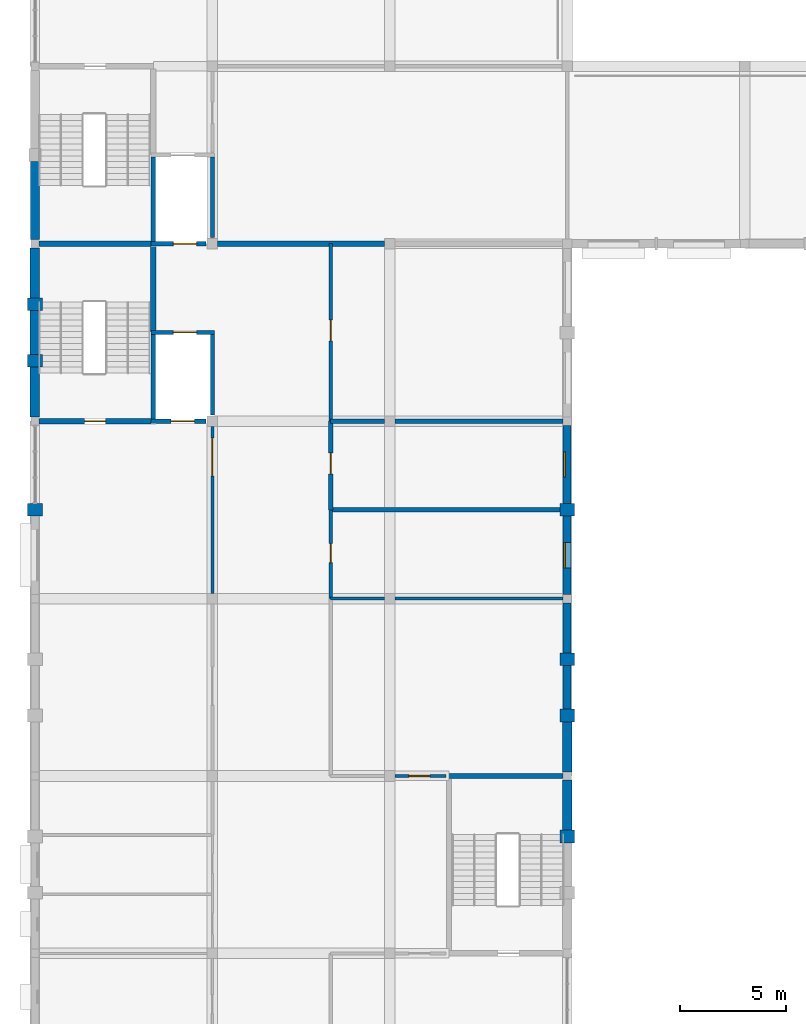
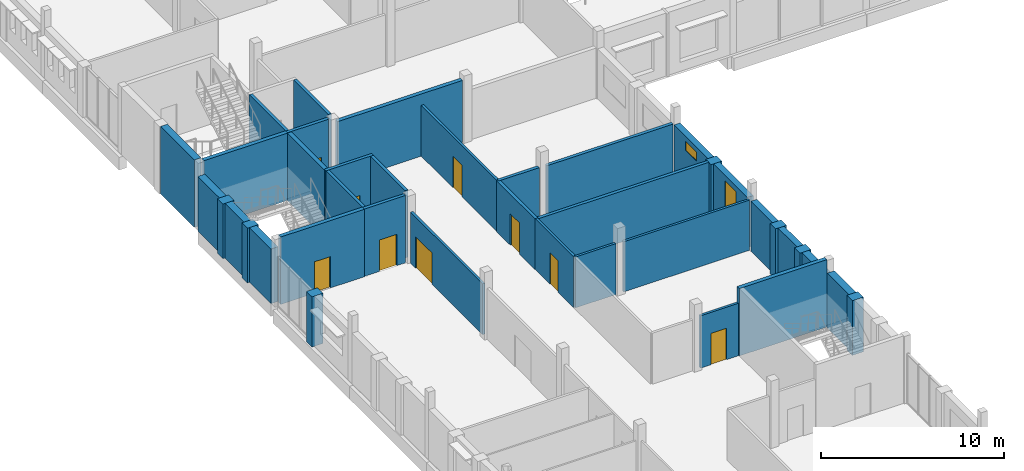
# One storey, part 25 of 38: 39 walls, 9 doors, 2 windows, 11 openings.
"""IFC4 building model written with IfcOpenShell, lengths in metres."""

from ifc_helpers import new_model, si_unit, direction, frame, frame_2d, origin, place, context, subcontext, project, spatial, rectangle, extrude, material, layer, layer_set, type_object, element, fill, save


model = new_model("IFC4")

# Units and contexts
model_context = context("Model", 3, precision=1e-05, world=origin(), true_north=direction((0.0, 1.0)))
body_context = subcontext(model_context, "Body", "Model", "MODEL_VIEW")
ifc_project = project(units=[si_unit("LENGTHUNIT", "METRE"), si_unit("AREAUNIT", "SQUARE_METRE"), si_unit("VOLUMEUNIT", "CUBIC_METRE"), si_unit("PLANEANGLEUNIT", "RADIAN"), si_unit("MASSUNIT", "GRAM", prefix="KILO")], contexts=[model_context])

# Site, building, storey
site_placement = place(None, origin())
site = spatial("IfcSite", under=ifc_project, at=site_placement, CompositionType="ELEMENT")
building_placement = place(site_placement, origin())
building = spatial("IfcBuilding", under=site, at=building_placement, Name="Fescue Hill Polytechnic", CompositionType="ELEMENT")
storey_placement = place(building_placement, frame((0.0, 0.0, 18.0)))
storey = spatial("IfcBuildingStorey", under=building, at=storey_placement, Name="L04", CompositionType="ELEMENT", Elevation=18.0)

# Wall, opening, door
ifc_material_1 = material(Name="Concrete 40 MPa", Category="concrete")
ifc_layer_1 = layer(ifc_material_1, 0.25)
ifc_layer_set_1 = layer_set([ifc_layer_1], Name="Concrete 40 MPa")
wall_type_1 = type_object("IfcWallType", Name="Core wall 250", PredefinedType="SHEAR", material=ifc_layer_set_1)
wall_1_placement = place(storey_placement, frame((0.199951171875, 100.800048828125, 0.0), z_axis=(0.0, 0.0, 1.0), x_axis=(1.0, 0.0, 0.0)))
wall_1 = element("IfcWall", 1, at=wall_1_placement, inside=storey, type_object=wall_type_1, Name="CW-L04-ST-V4-2-11", PredefinedType="SHEAR", context=body_context, shape_type="SweptSolid", body=[
    extrude(rectangle(XDim=5.300048828125, YDim=0.25, at=frame_2d((2.64990234375, 0.0))), origin(), (0.0, 0.0, 1.0), 4.5),
])
opening_1_placement = place(wall_1_placement, frame((2.14990234375, 0.0, 0.0)))
opening_1 = element("IfcOpeningElement", 2, at=opening_1_placement, cuts=wall_1, Name="Opening D4037", PredefinedType="OPENING", context=body_context, shape_type="SweptSolid", body=[
    extrude(rectangle(XDim=1.0, YDim=2.10009765625, at=frame_2d((0.5, 1.050048828125))), frame((0.0, 0.135009765625, 0.0), z_axis=(0.0, -1.0, 0.0), x_axis=(1.0, 0.0, 0.0)), (0.0, 0.0, 1.0), 0.27001953125),
])
ifc_material_2 = material(Name="Steel fire door", Category="steel")
door_type_1 = type_object("IfcDoorType", Name="Door single swing 1000x2100 stair fire rated", OperationType="NOTDEFINED", PredefinedType="DOOR", material=ifc_material_2)
door_1_placement = place(opening_1_placement, origin())
door_1 = element("IfcDoor", 3, at=door_1_placement, inside=storey, type_object=door_type_1, Name="L04 ST-V4-2 stair door", OperationType="SINGLE_SWING_RIGHT", OverallHeight=2.10009765625, OverallWidth=1.0, PredefinedType="DOOR", context=body_context, shape_type="SweptSolid", body=[
    extrude(rectangle(XDim=1.0, YDim=2.10009765625, at=frame_2d((0.5, 1.050048828125))), frame((0.0, 0.02490234375, 0.0), z_axis=(0.0, -1.0, 0.0), x_axis=(1.0, 0.0, 0.0)), (0.0, 0.0, 1.0), 0.050048828125),
])
fill(opening_1, door_1)

# Walls
wall_2_placement = place(storey_placement, frame((0.199951171875, 109.199951171875, 0.0), z_axis=(0.0, 0.0, 1.0), x_axis=(1.0, 0.0, 0.0)))
element("IfcWall", 4, at=wall_2_placement, inside=storey, type_object=wall_type_1, Name="CW-L04-ST-V4-2-21", PredefinedType="SHEAR", context=body_context, shape_type="SweptSolid", body=[
    extrude(rectangle(XDim=5.300048828125, YDim=0.25, at=frame_2d((2.64990234375, 0.0))), origin(), (0.0, 0.0, 1.0), 4.5),
])
wall_3_placement = place(storey_placement, frame((5.60009765625, 105.010009765625, 0.0), z_axis=(0.0, 0.0, 1.0), x_axis=(0.0, 1.0, 0.0)))
element("IfcWall", 5, at=wall_3_placement, inside=storey, type_object=wall_type_1, Name="CW-L04-ST-V4-2-41", PredefinedType="SHEAR", context=body_context, shape_type="SweptSolid", body=[
    extrude(rectangle(XDim=4.06494140625, YDim=0.25, at=frame_2d((2.032470703125, 0.0))), origin(), (0.0, 0.0, 1.0), 4.5),
])
wall_4_placement = place(storey_placement, frame((19.47509765625, 84.0, 0.0), z_axis=(0.0, 0.0, 1.0), x_axis=(1.0, 0.0, 0.0)))
element("IfcWall", 6, at=wall_4_placement, inside=storey, type_object=wall_type_1, Name="CW-L04-ST-V4-3-21", PredefinedType="SHEAR", context=body_context, shape_type="SweptSolid", body=[
    extrude(rectangle(XDim=5.52490234375, YDim=0.25, at=frame_2d((2.762451171875, 0.0))), origin(), (0.0, 0.0, 1.0), 4.5),
])

# Wall, opening, door
ifc_material_3 = material(Name="Gypsum board partition")
ifc_layer_2 = layer(ifc_material_3, 0.14990234375)
ifc_layer_set_2 = layer_set([ifc_layer_2], Name="Gypsum board partition")
wall_type_2 = type_object("IfcWallType", Name="Corridor wall 150 EI 45", PredefinedType="PARTITIONING", material=ifc_layer_set_2)
wall_5_placement = place(storey_placement, frame((14.0, 92.39990234375, 0.0), z_axis=(0.0, 0.0, 1.0), x_axis=(0.0, 1.0, 0.0)))
wall_5 = element("IfcWall", 7, at=wall_5_placement, inside=storey, type_object=wall_type_2, Name="IW-L04-046", PredefinedType="PARTITIONING", context=body_context, shape_type="SweptSolid", body=[
    extrude(rectangle(XDim=4.2001953125, YDim=0.14990234375, at=frame_2d((2.10009765625, 0.0))), origin(), (0.0, 0.0, 1.0), 3.39990234375),
])
opening_2_placement = place(wall_5_placement, frame((1.699951171875, 0.0, 0.0)))
opening_2 = element("IfcOpeningElement", 8, at=opening_2_placement, cuts=wall_5, Name="Opening D4012", PredefinedType="OPENING", context=body_context, shape_type="SweptSolid", body=[
    extrude(rectangle(XDim=0.89990234375, YDim=2.10009765625, at=frame_2d((0.449951171875, 1.050048828125))), frame((0.0, 0.0849609375, 0.0), z_axis=(0.0, -1.0, 0.0), x_axis=(1.0, 0.0, 0.0)), (0.0, 0.0, 1.0), 0.169921875),
])
ifc_material_4 = material(Name="Timber", Category="wood")
door_type_2 = type_object("IfcDoorType", Name="Door single swing 900x2100 FD30S", OperationType="SINGLE_SWING_LEFT", PredefinedType="DOOR", material=ifc_material_4)
door_2_placement = place(opening_2_placement, origin())
door_2 = element("IfcDoor", 9, at=door_2_placement, inside=storey, type_object=door_type_2, Name="Door D4012", OperationType="SINGLE_SWING_RIGHT", OverallHeight=2.10009765625, OverallWidth=0.89990234375, PredefinedType="DOOR", context=body_context, shape_type="SweptSolid", body=[
    extrude(rectangle(XDim=0.89990234375, YDim=2.10009765625, at=frame_2d((0.449951171875, 1.050048828125))), frame((0.0, 0.02490234375, 0.0), z_axis=(0.0, -1.0, 0.0), x_axis=(1.0, 0.0, 0.0)), (0.0, 0.0, 1.0), 0.050048828125),
])
fill(opening_2, door_2)

# Walls
ifc_layer_3 = layer(ifc_material_1, 0.449951171875)
ifc_layer_set_3 = layer_set([ifc_layer_3], Name="Concrete 40 MPa")
wall_type_3 = type_object("IfcWallType", Name="Exterior wall board-marked concrete 450", PredefinedType="SOLIDWALL", material=ifc_layer_set_3)
wall_6_placement = place(storey_placement, frame((25.199951171875, 84.199951171875, 0.0), z_axis=(0.0, 0.0, 1.0), x_axis=(0.0, 1.0, 0.0)))
element("IfcWall", 10, at=wall_6_placement, inside=storey, type_object=wall_type_3, Name="EW-L04-V4-11", PredefinedType="SOLIDWALL", context=body_context, shape_type="SweptSolid", body=[
    extrude(rectangle(XDim=2.36669921875, YDim=0.449951171875, at=frame_2d((1.183349609375, 0.0))), origin(), (0.0, 0.0, 1.0), 3.35009765625),
])
ifc_layer_4 = layer(ifc_material_1, 0.449951171875)
ifc_layer_set_4 = layer_set([ifc_layer_4], Name="Concrete 40 MPa")
wall_type_4 = type_object("IfcWallType", Name="Exterior wall board-marked concrete 450 load-bearing", PredefinedType="SOLIDWALL", material=ifc_layer_set_4)
for number, where, z_axis, x_axis, name in (
    (11, (25.199951171875, 81.433349609375, 0.0), (0.0, 0.0, 1.0), (0.0, 1.0, 0.0), "EW-L04-V4-10"),
    (12, (0.0, 109.0, 0.0), (0.0, 0.0, 1.0), (0.0, -1.0, 0.0), "EW-L04-V4-18"),
):
    element("IfcWall", number, at=place(storey_placement, frame(where, z_axis=z_axis, x_axis=x_axis)), inside=storey, type_object=wall_type_4, Name=name, PredefinedType="SOLIDWALL", context=body_context, shape_type="SweptSolid", body=[
        extrude(rectangle(XDim=2.36669921875, YDim=0.449951171875, at=frame_2d((1.183349609375, 0.0))), origin(), (0.0, 0.0, 1.0), 3.64990234375),
    ])
wall_7_placement = place(storey_placement, frame((0.0, 106.033203125, 0.0), z_axis=(0.0, 0.0, 1.0), x_axis=(0.0, -1.0, 0.0)))
element("IfcWall", 13, at=wall_7_placement, inside=storey, type_object=wall_type_4, Name="EW-L04-V4-19", PredefinedType="SOLIDWALL", context=body_context, shape_type="SweptSolid", body=[
    extrude(rectangle(XDim=2.06640625, YDim=0.449951171875, at=frame_2d((1.033203125, 0.0))), origin(), (0.0, 0.0, 1.0), 3.64990234375),
])
wall_8_placement = place(storey_placement, frame((0.0, 103.36669921875, 0.0), z_axis=(0.0, 0.0, 1.0), x_axis=(0.0, -1.0, 0.0)))
element("IfcWall", 14, at=wall_8_placement, inside=storey, type_object=wall_type_4, Name="EW-L04-V4-20", PredefinedType="SOLIDWALL", context=body_context, shape_type="SweptSolid", body=[
    extrude(rectangle(XDim=2.36669921875, YDim=0.449951171875, at=frame_2d((1.183349609375, 0.0))), origin(), (0.0, 0.0, 1.0), 3.64990234375),
])
ifc_material_5 = material(Name="Clay brick masonry", Category="masonry")
ifc_layer_5 = layer(ifc_material_5, 0.419921875)
ifc_layer_set_5 = layer_set([ifc_layer_5], Name="Clay brick masonry")
wall_type_5 = type_object("IfcWallType", Name="Exterior wall buff-red brick cavity 420 load-bearing", PredefinedType="SOLIDWALL", material=ifc_layer_set_5)
wall_9_placement = place(storey_placement, frame((0.0, 113.10009765625, 0.0), z_axis=(0.0, 0.0, 1.0), x_axis=(0.0, -1.0, 0.0)))
element("IfcWall", 15, at=wall_9_placement, inside=storey, type_object=wall_type_5, Name="EW-L04-V5-24", PredefinedType="SOLIDWALL", context=body_context, shape_type="SweptSolid", body=[
    extrude(rectangle(XDim=3.7001953125, YDim=0.419921875, at=frame_2d((1.85009765625, 0.0))), origin(), (0.0, 0.0, 1.0), 4.5),
])
ifc_material_6 = material(Name="Terracotta rainscreen on concrete block", Category="masonry")
ifc_layer_6 = layer(ifc_material_6, 0.3798828125)
ifc_layer_set_6 = layer_set([ifc_layer_6], Name="Terracotta rainscreen on concrete block")
wall_type_6 = type_object("IfcWallType", Name="Exterior wall rainscreen terracotta on blockwork 380", PredefinedType="SOLIDWALL", material=ifc_layer_set_6)
wall_10_placement = place(storey_placement, frame((25.199951171875, 87.166748046875, 0.0), z_axis=(0.0, 0.0, 1.0), x_axis=(0.0, 1.0, 0.0)))
element("IfcWall", 16, at=wall_10_placement, inside=storey, type_object=wall_type_6, Name="EW-L04-V4-12", PredefinedType="SOLIDWALL", context=body_context, shape_type="SweptSolid", body=[
    extrude(rectangle(XDim=2.066650390625, YDim=0.3798828125, at=frame_2d((1.033203125, 0.0))), origin(), (0.0, 0.0, 1.0), 3.35009765625),
])
wall_11_placement = place(storey_placement, frame((25.199951171875, 89.833251953125, 0.0), z_axis=(0.0, 0.0, 1.0), x_axis=(0.0, 1.0, 0.0)))
element("IfcWall", 17, at=wall_11_placement, inside=storey, type_object=wall_type_6, Name="EW-L04-V4-13", PredefinedType="SOLIDWALL", context=body_context, shape_type="SweptSolid", body=[
    extrude(rectangle(XDim=2.36669921875, YDim=0.3798828125, at=frame_2d((1.183349609375, 0.0))), origin(), (0.0, 0.0, 1.0), 3.35009765625),
])

# Wall, opening, window
wall_12_placement = place(storey_placement, frame((25.199951171875, 92.60009765625, 0.0), z_axis=(0.0, 0.0, 1.0), x_axis=(0.0, 1.0, 0.0)))
wall_12 = element("IfcWall", 18, at=wall_12_placement, inside=storey, type_object=wall_type_6, Name="EW-L04-V4-14", PredefinedType="SOLIDWALL", context=body_context, shape_type="SweptSolid", body=[
    extrude(rectangle(XDim=3.699951171875, YDim=0.3798828125, at=frame_2d((1.85009765625, 0.0))), origin(), (0.0, 0.0, 1.0), 3.35009765625),
])
opening_3_placement = place(wall_12_placement, frame((1.25, 0.0, 0.89990234375)))
opening_3 = element("IfcOpeningElement", 19, at=opening_3_placement, cuts=wall_12, Name="Opening W13", PredefinedType="OPENING", context=body_context, shape_type="SweptSolid", body=[
    extrude(rectangle(XDim=1.199951171875, YDim=2.10009765625, at=frame_2d((0.60009765625, 1.050048828125))), frame((0.0, 0.199951171875, 0.0), z_axis=(0.0, -1.0, 0.0), x_axis=(1.0, 0.0, 0.0)), (0.0, 0.0, 1.0), 0.39990234375),
])
ifc_material_7 = material(Name="Powder-coated aluminium and glass", Category="aluminium")
window_type_1 = type_object("IfcWindowType", Name="Window cellular office 1200x2100", PartitioningType="SINGLE_PANEL", PredefinedType="WINDOW", material=ifc_material_7)
window_1_placement = place(opening_3_placement, origin())
window_1 = element("IfcWindow", 20, at=window_1_placement, inside=storey, type_object=window_type_1, Name="WN-L04-V4-4", OverallHeight=2.10009765625, OverallWidth=1.199951171875, PartitioningType="SINGLE_PANEL", PredefinedType="WINDOW", context=body_context, shape_type="SweptSolid", body=[
    extrude(rectangle(XDim=1.199951171875, YDim=2.10009765625, at=frame_2d((0.60009765625, 1.050048828125))), frame((0.0, 0.150146484375, 0.0), z_axis=(0.0, -1.0, 0.0), x_axis=(1.0, 0.0, 0.0)), (0.0, 0.0, 1.0), 0.06005859375),
])
fill(opening_3, window_1)

wall_13_placement = place(storey_placement, frame((25.199951171875, 96.89990234375, 0.0), z_axis=(0.0, 0.0, 1.0), x_axis=(0.0, 1.0, 0.0)))
wall_13 = element("IfcWall", 21, at=wall_13_placement, inside=storey, type_object=wall_type_6, Name="EW-L04-V4-15", PredefinedType="SOLIDWALL", context=body_context, shape_type="SweptSolid", body=[
    extrude(rectangle(XDim=3.7001953125, YDim=0.3798828125, at=frame_2d((1.85009765625, 0.0))), origin(), (0.0, 0.0, 1.0), 3.35009765625),
])
opening_4_placement = place(wall_13_placement, frame((1.25, 0.0, 2.39990234375)))
opening_4 = element("IfcOpeningElement", 22, at=opening_4_placement, cuts=wall_13, Name="Opening W12", PredefinedType="OPENING", context=body_context, shape_type="SweptSolid", body=[
    extrude(rectangle(XDim=1.199951171875, YDim=0.60009765625, at=frame_2d((0.60009765625, 0.300048828125))), frame((0.0, 0.199951171875, 0.0), z_axis=(0.0, -1.0, 0.0), x_axis=(1.0, 0.0, 0.0)), (0.0, 0.0, 1.0), 0.39990234375),
])
window_type_2 = type_object("IfcWindowType", Name="Window plant and store high-level 1200x600", PartitioningType="SINGLE_PANEL", PredefinedType="WINDOW", material=ifc_material_7)
window_2_placement = place(opening_4_placement, origin())
window_2 = element("IfcWindow", 23, at=window_2_placement, inside=storey, type_object=window_type_2, Name="WN-L04-V4-5", OverallHeight=0.60009765625, OverallWidth=1.199951171875, PartitioningType="SINGLE_PANEL", PredefinedType="WINDOW", context=body_context, shape_type="SweptSolid", body=[
    extrude(rectangle(XDim=1.199951171875, YDim=0.60009765625, at=frame_2d((0.60009765625, 0.300048828125))), frame((0.0, 0.150146484375, 0.0), z_axis=(0.0, -1.0, 0.0), x_axis=(1.0, 0.0, 0.0)), (0.0, 0.0, 1.0), 0.06005859375),
])
fill(opening_4, window_2)

# Walls
ifc_layer_7 = layer(ifc_material_1, 0.699951171875)
ifc_layer_set_7 = layer_set([ifc_layer_7], Name="Concrete 40 MPa")
wall_type_7 = type_object("IfcWallType", Name="Fin wall board-marked 600x700", PredefinedType="SOLIDWALL", material=ifc_layer_set_7)
wall_14_placement = place(storey_placement, frame((25.199951171875, 80.833251953125, 0.0), z_axis=(0.0, 0.0, 1.0), x_axis=(0.0, 1.0, 0.0)))
element("IfcWall", 24, at=wall_14_placement, inside=storey, type_object=wall_type_7, Name="PR-L04-V4-6", PredefinedType="SOLIDWALL", context=body_context, shape_type="SweptSolid", body=[
    extrude(rectangle(XDim=0.60009765625, YDim=0.699951171875, at=frame_2d((0.300048828125, 0.0))), origin(), (0.0, 0.0, 1.0), 3.64990234375),
])
wall_15_placement = place(storey_placement, frame((25.199951171875, 86.566650390625, 0.0), z_axis=(0.0, 0.0, 1.0), x_axis=(0.0, 1.0, 0.0)))
element("IfcWall", 25, at=wall_15_placement, inside=storey, type_object=wall_type_7, Name="PR-L04-V4-7", PredefinedType="SOLIDWALL", context=body_context, shape_type="SweptSolid", body=[
    extrude(rectangle(XDim=0.60009765625, YDim=0.699951171875, at=frame_2d((0.300048828125, 0.0))), origin(), (0.0, 0.0, 1.0), 3.35009765625),
])
for number, where, z_axis, x_axis, name in (
    (26, (25.199951171875, 89.2333984375, 0.0), (0.0, 0.0, 1.0), (0.0, 1.0, 0.0), "PR-L04-V4-8"),
    (27, (25.199951171875, 96.300048828125, 0.0), (0.0, 0.0, 1.0), (0.0, 1.0, 0.0), "PR-L04-V4-9"),
):
    element("IfcWall", number, at=place(storey_placement, frame(where, z_axis=z_axis, x_axis=x_axis)), inside=storey, type_object=wall_type_7, Name=name, PredefinedType="SOLIDWALL", context=body_context, shape_type="SweptSolid", body=[
        extrude(rectangle(XDim=0.599853515625, YDim=0.699951171875, at=frame_2d((0.2998046875, 0.0))), origin(), (0.0, 0.0, 1.0), 3.35009765625),
    ])
for number, where, z_axis, x_axis, name in (
    (28, (0.0, 106.63330078125, 0.0), (0.0, 0.0, 1.0), (0.0, -1.0, 0.0), "PR-L04-V4-11"),
    (29, (0.0, 103.966796875, 0.0), (0.0, 0.0, 1.0), (0.0, -1.0, 0.0), "PR-L04-V4-12"),
):
    element("IfcWall", number, at=place(storey_placement, frame(where, z_axis=z_axis, x_axis=x_axis)), inside=storey, type_object=wall_type_7, Name=name, PredefinedType="SOLIDWALL", context=body_context, shape_type="SweptSolid", body=[
        extrude(rectangle(XDim=0.60009765625, YDim=0.699951171875, at=frame_2d((0.300048828125, 0.0))), origin(), (0.0, 0.0, 1.0), 3.64990234375),
    ])
wall_16_placement = place(storey_placement, frame((0.0, 96.89990234375, 0.0), z_axis=(0.0, 0.0, 1.0), x_axis=(0.0, -1.0, 0.0)))
element("IfcWall", 30, at=wall_16_placement, inside=storey, type_object=wall_type_7, Name="PR-L04-V4-13", PredefinedType="SOLIDWALL", context=body_context, shape_type="SweptSolid", body=[
    extrude(rectangle(XDim=0.599853515625, YDim=0.699951171875, at=frame_2d((0.2998046875, 0.0))), origin(), (0.0, 0.0, 1.0), 3.35009765625),
])
ifc_material_8 = material(Name="Concrete masonry block 15 MPa", Category="masonry")
ifc_layer_8 = layer(ifc_material_8, 0.14990234375)
ifc_layer_set_8 = layer_set([ifc_layer_8], Name="Concrete masonry block 15 MPa")
wall_type_8 = type_object("IfcWallType", Name="Laboratory wall 150 block EI 60", PredefinedType="PARTITIONING", material=ifc_layer_set_8)
wall_17_placement = place(storey_placement, frame((14.0, 92.39990234375, 0.0), z_axis=(0.0, 0.0, 1.0), x_axis=(1.0, 0.0, 0.0)))
element("IfcWall", 31, at=wall_17_placement, inside=storey, type_object=wall_type_8, Name="IW-L04-015", PredefinedType="PARTITIONING", context=body_context, shape_type="SweptSolid", body=[
    extrude(rectangle(XDim=2.550048828125, YDim=0.14990234375, at=frame_2d((1.27490234375, 0.0))), origin(), (0.0, 0.0, 1.0), 3.39990234375),
])
wall_18_placement = place(storey_placement, frame((17.050048828125, 92.39990234375, 0.0), z_axis=(0.0, 0.0, 1.0), x_axis=(1.0, 0.0, 0.0)))
element("IfcWall", 32, at=wall_18_placement, inside=storey, type_object=wall_type_8, Name="IW-L04-016", PredefinedType="PARTITIONING", context=body_context, shape_type="SweptSolid", body=[
    extrude(rectangle(XDim=7.949951171875, YDim=0.14990234375, at=frame_2d((3.97509765625, 0.0))), origin(), (0.0, 0.0, 1.0), 3.35009765625),
])

# Wall, opening, door
wall_19_placement = place(storey_placement, frame((8.39990234375, 92.64990234375, 0.0), z_axis=(0.0, 0.0, 1.0), x_axis=(0.0, 1.0, 0.0)))
wall_19 = element("IfcWall", 33, at=wall_19_placement, inside=storey, type_object=wall_type_8, Name="IW-L04-040", PredefinedType="PARTITIONING", context=body_context, shape_type="SweptSolid", body=[
    extrude(rectangle(XDim=7.900146484375, YDim=0.14990234375, at=frame_2d((3.9501953125, 0.0))), origin(), (0.0, 0.0, 1.0), 3.39990234375),
])
opening_5_placement = place(wall_19_placement, frame((5.550048828125, 0.0, 0.0)))
opening_5 = element("IfcOpeningElement", 34, at=opening_5_placement, cuts=wall_19, Name="Opening D4007", PredefinedType="OPENING", context=body_context, shape_type="SweptSolid", body=[
    extrude(rectangle(XDim=1.800048828125, YDim=2.10009765625, at=frame_2d((0.89990234375, 1.050048828125))), frame((0.0, 0.0849609375, 0.0), z_axis=(0.0, -1.0, 0.0), x_axis=(1.0, 0.0, 0.0)), (0.0, 0.0, 1.0), 0.169921875),
])
ifc_material_9 = material(Name="Steel", Category="steel")
door_type_3 = type_object("IfcDoorType", Name="Door double swing 1800x2100 FD60", OperationType="DOUBLE_DOOR_SINGLE_SWING", PredefinedType="DOOR", material=ifc_material_9)
door_3_placement = place(opening_5_placement, origin())
door_3 = element("IfcDoor", 35, at=door_3_placement, inside=storey, type_object=door_type_3, Name="Door D4007", OperationType="DOUBLE_DOOR_SINGLE_SWING", OverallHeight=2.10009765625, OverallWidth=1.800048828125, PredefinedType="DOOR", context=body_context, shape_type="SweptSolid", body=[
    extrude(rectangle(XDim=1.800048828125, YDim=2.10009765625, at=frame_2d((0.89990234375, 1.050048828125))), frame((0.0, 0.02490234375, 0.0), z_axis=(0.0, -1.0, 0.0), x_axis=(1.0, 0.0, 0.0)), (0.0, 0.0, 1.0), 0.050048828125),
])
fill(opening_5, door_3)

wall_20_placement = place(storey_placement, frame((14.0, 100.800048828125, 0.0), z_axis=(0.0, 0.0, 1.0), x_axis=(0.0, 1.0, 0.0)))
wall_20 = element("IfcWall", 36, at=wall_20_placement, inside=storey, type_object=wall_type_8, Name="IW-L04-049", PredefinedType="PARTITIONING", context=body_context, shape_type="SweptSolid", body=[
    extrude(rectangle(XDim=8.39990234375, YDim=0.14990234375, at=frame_2d((4.199951171875, 0.0))), origin(), (0.0, 0.0, 1.0), 3.39990234375),
])
opening_6_placement = place(wall_20_placement, frame((3.800048828125, 0.0, 0.0)))
opening_6 = element("IfcOpeningElement", 37, at=opening_6_placement, cuts=wall_20, Name="Opening D4014", PredefinedType="OPENING", context=body_context, shape_type="SweptSolid", body=[
    extrude(rectangle(XDim=1.0, YDim=2.10009765625, at=frame_2d((0.5, 1.050048828125))), frame((0.0, 0.0849609375, 0.0), z_axis=(0.0, -1.0, 0.0), x_axis=(1.0, 0.0, 0.0)), (0.0, 0.0, 1.0), 0.169921875),
])
door_type_4 = type_object("IfcDoorType", Name="Door single swing 1000x2100 FD60", OperationType="SINGLE_SWING_LEFT", PredefinedType="DOOR", material=ifc_material_9)
door_4_placement = place(opening_6_placement, origin())
door_4 = element("IfcDoor", 38, at=door_4_placement, inside=storey, type_object=door_type_4, Name="Door D4014", OperationType="SINGLE_SWING_RIGHT", OverallHeight=2.10009765625, OverallWidth=1.0, PredefinedType="DOOR", context=body_context, shape_type="SweptSolid", body=[
    extrude(rectangle(XDim=1.0, YDim=2.10009765625, at=frame_2d((0.5, 1.050048828125))), frame((0.0, 0.02490234375, 0.0), z_axis=(0.0, -1.0, 0.0), x_axis=(1.0, 0.0, 0.0)), (0.0, 0.0, 1.0), 0.050048828125),
])
fill(opening_6, door_4)

ifc_layer_9 = layer(ifc_material_1, 0.199951171875)
ifc_layer_set_9 = layer_set([ifc_layer_9], Name="Concrete 40 MPa")
wall_type_9 = type_object("IfcWallType", Name="Lift shaft wall 200", PredefinedType="SHEAR", material=ifc_layer_set_9)
wall_21_placement = place(storey_placement, frame((5.5, 100.800048828125, 0.0), z_axis=(0.0, 0.0, 1.0), x_axis=(1.0, 0.0, 0.0)))
wall_21 = element("IfcWall", 39, at=wall_21_placement, inside=storey, type_object=wall_type_9, Name="CW-L04-LF-V4-2-11", PredefinedType="SHEAR", context=body_context, shape_type="SweptSolid", body=[
    extrude(rectangle(XDim=2.60009765625, YDim=0.199951171875, at=frame_2d((1.300048828125, 0.0))), origin(), (0.0, 0.0, 1.0), 4.5),
])
opening_7_placement = place(wall_21_placement, frame((0.949951171875, 0.0, 0.0)))
opening_7 = element("IfcOpeningElement", 40, at=opening_7_placement, cuts=wall_21, Name="Opening LD5-L04", PredefinedType="OPENING", context=body_context, shape_type="SweptSolid", body=[
    extrude(rectangle(XDim=1.10009765625, YDim=2.10009765625, at=frame_2d((0.550048828125, 1.050048828125))), frame((0.0, 0.10986328125, 0.0), z_axis=(0.0, -1.0, 0.0), x_axis=(1.0, 0.0, 0.0)), (0.0, 0.0, 1.0), 0.219970703125),
])
ifc_material_10 = material(Name="Stainless steel", Category="steel")
door_type_5 = type_object("IfcDoorType", Name="Lift landing door sliding 1100x2100", OperationType="SLIDING_TO_LEFT", PredefinedType="DOOR", material=ifc_material_10)
door_5_placement = place(opening_7_placement, origin())
door_5 = element("IfcDoor", 41, at=door_5_placement, inside=storey, type_object=door_type_5, Name="L04 LF-V4-2 lift landing door", OperationType="SLIDING_TO_RIGHT", OverallHeight=2.10009765625, OverallWidth=1.10009765625, PredefinedType="DOOR", context=body_context, shape_type="SweptSolid", body=[
    extrude(rectangle(XDim=1.10009765625, YDim=2.10009765625, at=frame_2d((0.550048828125, 1.050048828125))), frame((0.0, 0.02490234375, 0.0), z_axis=(0.0, -1.0, 0.0), x_axis=(1.0, 0.0, 0.0)), (0.0, 0.0, 1.0), 0.050048828125),
])
fill(opening_7, door_5)

wall_22_placement = place(storey_placement, frame((5.5, 105.0, 0.0), z_axis=(0.0, 0.0, 1.0), x_axis=(1.0, 0.0, 0.0)))
wall_22 = element("IfcWall", 42, at=wall_22_placement, inside=storey, type_object=wall_type_9, Name="CW-L04-LF-V4-2-21", PredefinedType="SHEAR", context=body_context, shape_type="SweptSolid", body=[
    extrude(rectangle(XDim=3.0, YDim=0.199951171875, at=frame_2d((1.5, 0.0))), origin(), (0.0, 0.0, 1.0), 4.5),
])
opening_8_placement = place(wall_22_placement, frame((1.050048828125, 0.0, 0.0)))
opening_8 = element("IfcOpeningElement", 43, at=opening_8_placement, cuts=wall_22, Name="Opening LD5-L04N", PredefinedType="OPENING", context=body_context, shape_type="SweptSolid", body=[
    extrude(rectangle(XDim=1.10009765625, YDim=2.10009765625, at=frame_2d((0.550048828125, 1.050048828125))), frame((0.0, 0.10986328125, 0.0), z_axis=(0.0, -1.0, 0.0), x_axis=(1.0, 0.0, 0.0)), (0.0, 0.0, 1.0), 0.219970703125),
])
door_6_placement = place(opening_8_placement, origin())
door_6 = element("IfcDoor", 44, at=door_6_placement, inside=storey, type_object=door_type_5, Name="L04 LF-V4-2 lift landing door", OperationType="SLIDING_TO_LEFT", OverallHeight=2.10009765625, OverallWidth=1.10009765625, PredefinedType="DOOR", context=body_context, shape_type="SweptSolid", body=[
    extrude(rectangle(XDim=1.10009765625, YDim=2.10009765625, at=frame_2d((0.550048828125, 1.050048828125))), frame((0.0, 0.02490234375, 0.0), z_axis=(0.0, -1.0, 0.0), x_axis=(1.0, 0.0, 0.0)), (0.0, 0.0, 1.0), 0.050048828125),
])
fill(opening_8, door_6)

# Walls
wall_23_placement = place(storey_placement, frame((5.60009765625, 100.89990234375, 0.0), z_axis=(0.0, 0.0, 1.0), x_axis=(0.0, 1.0, 0.0)))
element("IfcWall", 45, at=wall_23_placement, inside=storey, type_object=wall_type_9, Name="CW-L04-LF-V4-2-31", PredefinedType="SHEAR", context=body_context, shape_type="SweptSolid", body=[
    extrude(rectangle(XDim=4.0, YDim=0.199951171875, at=frame_2d((2.0, 0.0))), origin(), (0.0, 0.0, 1.0), 4.5),
])
wall_24_placement = place(storey_placement, frame((8.39990234375, 101.10009765625, 0.0), z_axis=(0.0, 0.0, 1.0), x_axis=(0.0, 1.0, 0.0)))
element("IfcWall", 46, at=wall_24_placement, inside=storey, type_object=wall_type_9, Name="CW-L04-LF-V4-2-41", PredefinedType="SHEAR", context=body_context, shape_type="SweptSolid", body=[
    extrude(rectangle(XDim=3.7998046875, YDim=0.199951171875, at=frame_2d((1.89990234375, 0.0))), origin(), (0.0, 0.0, 1.0), 4.5),
])

# Wall, opening, door
wall_25_placement = place(storey_placement, frame((5.5, 109.199951171875, 0.0), z_axis=(0.0, 0.0, 1.0), x_axis=(1.0, 0.0, 0.0)))
wall_25 = element("IfcWall", 47, at=wall_25_placement, inside=storey, type_object=wall_type_9, Name="CW-L04-LF-V5-1-11", PredefinedType="SHEAR", context=body_context, shape_type="SweptSolid", body=[
    extrude(rectangle(XDim=2.60009765625, YDim=0.199951171875, at=frame_2d((1.300048828125, 0.0))), origin(), (0.0, 0.0, 1.0), 4.5),
])
opening_9_placement = place(wall_25_placement, frame((1.050048828125, 0.0, 0.0)))
opening_9 = element("IfcOpeningElement", 48, at=opening_9_placement, cuts=wall_25, Name="Opening LD6-L04", PredefinedType="OPENING", context=body_context, shape_type="SweptSolid", body=[
    extrude(rectangle(XDim=1.10009765625, YDim=2.10009765625, at=frame_2d((0.550048828125, 1.050048828125))), frame((0.0, 0.10986328125, 0.0), z_axis=(0.0, -1.0, 0.0), x_axis=(1.0, 0.0, 0.0)), (0.0, 0.0, 1.0), 0.219970703125),
])
door_7_placement = place(opening_9_placement, origin())
door_7 = element("IfcDoor", 49, at=door_7_placement, inside=storey, type_object=door_type_5, Name="L04 LF-V5-1 lift landing door", OperationType="SLIDING_TO_RIGHT", OverallHeight=2.10009765625, OverallWidth=1.10009765625, PredefinedType="DOOR", context=body_context, shape_type="SweptSolid", body=[
    extrude(rectangle(XDim=1.10009765625, YDim=2.10009765625, at=frame_2d((0.550048828125, 1.050048828125))), frame((0.0, 0.02490234375, 0.0), z_axis=(0.0, -1.0, 0.0), x_axis=(1.0, 0.0, 0.0)), (0.0, 0.0, 1.0), 0.050048828125),
])
fill(opening_9, door_7)

# Walls
wall_26_placement = place(storey_placement, frame((5.60009765625, 109.300048828125, 0.0), z_axis=(0.0, 0.0, 1.0), x_axis=(0.0, 1.0, 0.0)))
element("IfcWall", 50, at=wall_26_placement, inside=storey, type_object=wall_type_9, Name="CW-L04-LF-V5-1-31", PredefinedType="SHEAR", context=body_context, shape_type="SweptSolid", body=[
    extrude(rectangle(XDim=4.0, YDim=0.199951171875, at=frame_2d((2.0, 0.0))), origin(), (0.0, 0.0, 1.0), 4.5),
])
wall_27_placement = place(storey_placement, frame((8.39990234375, 109.5, 0.0), z_axis=(0.0, 0.0, 1.0), x_axis=(0.0, 1.0, 0.0)))
element("IfcWall", 51, at=wall_27_placement, inside=storey, type_object=wall_type_9, Name="CW-L04-LF-V5-1-41", PredefinedType="SHEAR", context=body_context, shape_type="SweptSolid", body=[
    extrude(rectangle(XDim=3.800048828125, YDim=0.199951171875, at=frame_2d((1.89990234375, 0.0))), origin(), (0.0, 0.0, 1.0), 4.5),
])

# Wall, opening, door
ifc_layer_10 = layer(ifc_material_3, 0.14990234375)
ifc_layer_set_10 = layer_set([ifc_layer_10], Name="Gypsum board partition")
wall_type_10 = type_object("IfcWallType", Name="Lobby wall 150 EI 60", PredefinedType="PARTITIONING", material=ifc_layer_set_10)
wall_28_placement = place(storey_placement, frame((17.050048828125, 84.0, 0.0), z_axis=(0.0, 0.0, 1.0), x_axis=(1.0, 0.0, 0.0)))
wall_28 = element("IfcWall", 52, at=wall_28_placement, inside=storey, type_object=wall_type_10, Name="IW-L04-014", PredefinedType="PARTITIONING", context=body_context, shape_type="SweptSolid", body=[
    extrude(rectangle(XDim=2.39990234375, YDim=0.14990234375, at=frame_2d((1.199951171875, 0.0))), origin(), (0.0, 0.0, 1.0), 3.5),
])
opening_10_placement = place(wall_28_placement, frame((0.64990234375, 0.0, 0.0)))
opening_10 = element("IfcOpeningElement", 53, at=opening_10_placement, cuts=wall_28, Name="Opening D4011", PredefinedType="OPENING", context=body_context, shape_type="SweptSolid", body=[
    extrude(rectangle(XDim=1.0, YDim=2.10009765625, at=frame_2d((0.5, 1.050048828125))), frame((0.0, 0.0849609375, 0.0), z_axis=(0.0, -1.0, 0.0), x_axis=(1.0, 0.0, 0.0)), (0.0, 0.0, 1.0), 0.169921875),
])
door_8_placement = place(opening_10_placement, origin())
door_8 = element("IfcDoor", 54, at=door_8_placement, inside=storey, type_object=door_type_4, Name="Door D4011", OperationType="SINGLE_SWING_LEFT", OverallHeight=2.10009765625, OverallWidth=1.0, PredefinedType="DOOR", context=body_context, shape_type="SweptSolid", body=[
    extrude(rectangle(XDim=1.0, YDim=2.10009765625, at=frame_2d((0.5, 1.050048828125))), frame((0.0, 0.02490234375, 0.0), z_axis=(0.0, -1.0, 0.0), x_axis=(1.0, 0.0, 0.0)), (0.0, 0.0, 1.0), 0.050048828125),
])
fill(opening_10, door_8)

# Walls
ifc_material_11 = material(Name="Concrete 35 MPa", Category="concrete")
ifc_layer_11 = layer(ifc_material_11, 0.25)
ifc_layer_set_11 = layer_set([ifc_layer_11], Name="Concrete 35 MPa")
wall_type_11 = type_object("IfcWallType", Name="Party wall 250 concrete EI 120", PredefinedType="SOLIDWALL", material=ifc_layer_set_11)
wall_29_placement = place(storey_placement, frame((8.64990234375, 109.199951171875, 0.0), z_axis=(0.0, 0.0, 1.0), x_axis=(1.0, 0.0, 0.0)))
element("IfcWall", 55, at=wall_29_placement, inside=storey, type_object=wall_type_11, Name="IW-L04-020", PredefinedType="SOLIDWALL", context=body_context, shape_type="SweptSolid", body=[
    extrude(rectangle(XDim=7.900146484375, YDim=0.25, at=frame_2d((3.9501953125, 0.0))), origin(), (0.0, 0.0, 1.0), 4.14990234375),
])
ifc_layer_12 = layer(ifc_material_8, 0.199951171875)
ifc_layer_set_12 = layer_set([ifc_layer_12], Name="Concrete masonry block 15 MPa")
wall_type_12 = type_object("IfcWallType", Name="Plant room wall 200 block EI 60", PredefinedType="PARTITIONING", material=ifc_layer_set_12)
wall_30_placement = place(storey_placement, frame((14.0, 96.60009765625, 0.0), z_axis=(0.0, 0.0, 1.0), x_axis=(1.0, 0.0, 0.0)))
element("IfcWall", 56, at=wall_30_placement, inside=storey, type_object=wall_type_12, Name="IW-L04-017", PredefinedType="PARTITIONING", context=body_context, shape_type="SweptSolid", body=[
    extrude(rectangle(XDim=10.85009765625, YDim=0.199951171875, at=frame_2d((5.425048828125, 0.0))), origin(), (0.0, 0.0, 1.0), 3.39990234375),
])
wall_31_placement = place(storey_placement, frame((14.0, 100.800048828125, 0.0), z_axis=(0.0, 0.0, 1.0), x_axis=(1.0, 0.0, 0.0)))
element("IfcWall", 57, at=wall_31_placement, inside=storey, type_object=wall_type_12, Name="IW-L04-018", PredefinedType="PARTITIONING", context=body_context, shape_type="SweptSolid", body=[
    extrude(rectangle(XDim=2.550048828125, YDim=0.199951171875, at=frame_2d((1.27490234375, 0.0))), origin(), (0.0, 0.0, 1.0), 3.39990234375),
])
wall_32_placement = place(storey_placement, frame((17.050048828125, 100.800048828125, 0.0), z_axis=(0.0, 0.0, 1.0), x_axis=(1.0, 0.0, 0.0)))
element("IfcWall", 58, at=wall_32_placement, inside=storey, type_object=wall_type_12, Name="IW-L04-019", PredefinedType="PARTITIONING", context=body_context, shape_type="SweptSolid", body=[
    extrude(rectangle(XDim=7.949951171875, YDim=0.199951171875, at=frame_2d((3.97509765625, 0.0))), origin(), (0.0, 0.0, 1.0), 3.35009765625),
])

# Wall, opening, door
wall_33_placement = place(storey_placement, frame((14.0, 96.60009765625, 0.0), z_axis=(0.0, 0.0, 1.0), x_axis=(0.0, 1.0, 0.0)))
wall_33 = element("IfcWall", 59, at=wall_33_placement, inside=storey, type_object=wall_type_12, Name="IW-L04-050", PredefinedType="PARTITIONING", context=body_context, shape_type="SweptSolid", body=[
    extrude(rectangle(XDim=4.199951171875, YDim=0.199951171875, at=frame_2d((2.10009765625, 0.0))), origin(), (0.0, 0.0, 1.0), 3.39990234375),
])
opening_11_placement = place(wall_33_placement, frame((1.699951171875, 0.0, 0.0)))
opening_11 = element("IfcOpeningElement", 60, at=opening_11_placement, cuts=wall_33, Name="Opening D4013", PredefinedType="OPENING", context=body_context, shape_type="SweptSolid", body=[
    extrude(rectangle(XDim=1.0, YDim=2.10009765625, at=frame_2d((0.5, 1.050048828125))), frame((0.0, 0.10986328125, 0.0), z_axis=(0.0, -1.0, 0.0), x_axis=(1.0, 0.0, 0.0)), (0.0, 0.0, 1.0), 0.219970703125),
])
door_9_placement = place(opening_11_placement, origin())
door_9 = element("IfcDoor", 61, at=door_9_placement, inside=storey, type_object=door_type_4, Name="Door D4013", OperationType="SINGLE_SWING_RIGHT", OverallHeight=2.10009765625, OverallWidth=1.0, PredefinedType="DOOR", context=body_context, shape_type="SweptSolid", body=[
    extrude(rectangle(XDim=1.0, YDim=2.10009765625, at=frame_2d((0.5, 1.050048828125))), frame((0.0, 0.02490234375, 0.0), z_axis=(0.0, -1.0, 0.0), x_axis=(1.0, 0.0, 0.0)), (0.0, 0.0, 1.0), 0.050048828125),
])
fill(opening_11, door_9)

save(model, "model.ifc")
